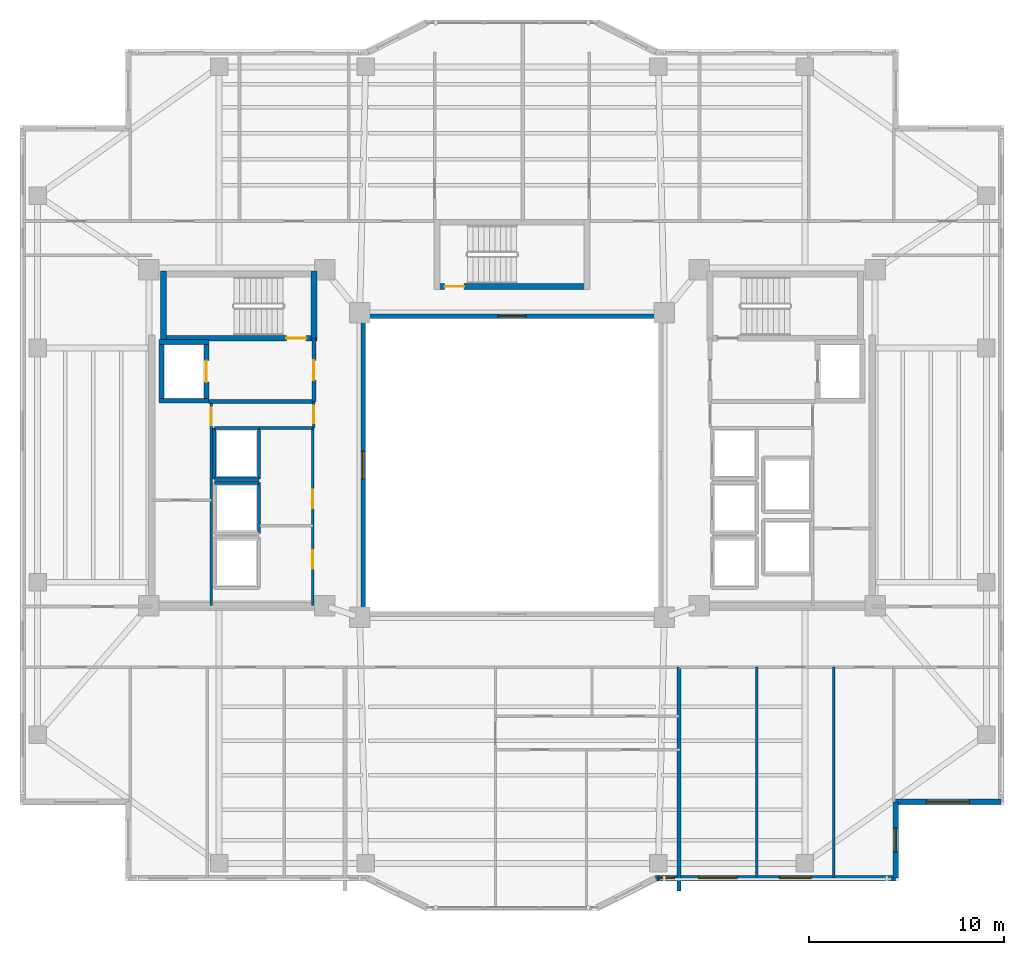
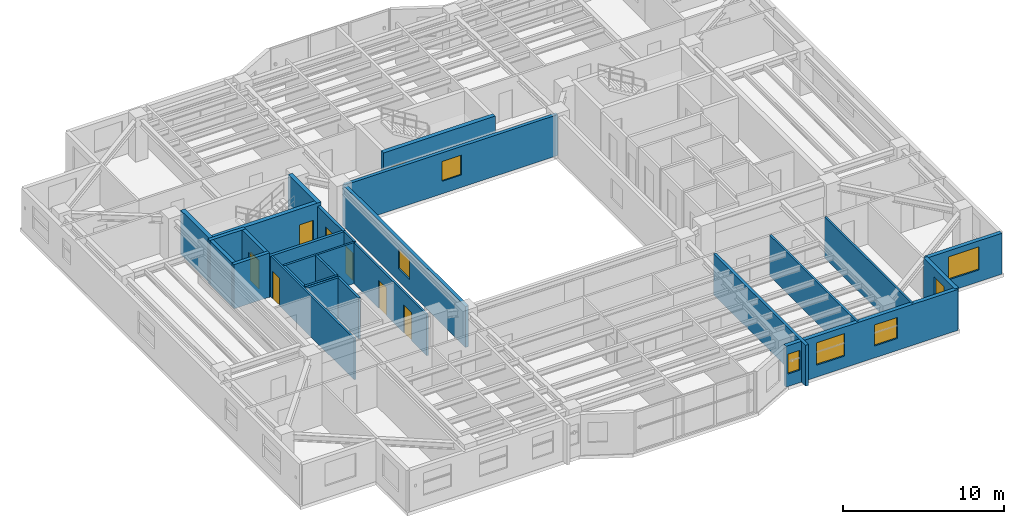
# One storey, part 7 of 15: 28 walls, 8 doors, 7 windows, 15 openings.
"""IFC4 building model written with IfcOpenShell, lengths in metres."""

from ifc_helpers import new_model, si_unit, direction, frame, frame_2d, origin, place, context, subcontext, project, spatial, rectangle, extrude, material, layer, layer_set, type_object, element, fill, save


model = new_model("IFC4")

# Units and contexts
model_context = context("Model", 3, precision=1e-05, world=origin(), true_north=direction((0.0, 1.0)))
body_context = subcontext(model_context, "Body", "Model", "MODEL_VIEW")
ifc_project = project(units=[si_unit("LENGTHUNIT", "METRE"), si_unit("AREAUNIT", "SQUARE_METRE"), si_unit("VOLUMEUNIT", "CUBIC_METRE"), si_unit("PLANEANGLEUNIT", "RADIAN"), si_unit("MASSUNIT", "GRAM", prefix="KILO")], contexts=[model_context])

# Site, building, storey
site_placement = place(None, origin())
site = spatial("IfcSite", under=ifc_project, at=site_placement, CompositionType="ELEMENT")
building_placement = place(site_placement, origin())
building = spatial("IfcBuilding", under=site, at=building_placement, Name="Tarnavaz Court Tower", CompositionType="ELEMENT")
storey_placement = place(building_placement, frame((0.0, 0.0, 142.64990234375)))
storey = spatial("IfcBuildingStorey", under=building, at=storey_placement, Name="L38", CompositionType="ELEMENT", Elevation=142.64990234375)

# Wall
ifc_material_1 = material(Name="Concrete C50/60", Category="concrete")
ifc_layer_1 = layer(ifc_material_1, 0.25)
ifc_layer_set_1 = layer_set([ifc_layer_1], Name="Concrete C50/60")
wall_type_1 = type_object("IfcWallType", Name="WL-CORE-250-C50", PredefinedType="SHEAR", material=ifc_layer_set_1)
wall_1_placement = place(storey_placement, frame((-17.949951171875, 3.175048828125, 0.0), z_axis=(0.0, 0.0, 1.0), x_axis=(0.0, 1.0, 0.0)))
element("IfcWall", 1, at=wall_1_placement, inside=storey, type_object=wall_type_1, Name="L38 Lift FL-W1 Shaft Wall 017", PredefinedType="SHEAR", context=body_context, shape_type="SweptSolid", body=[
    extrude(rectangle(XDim=3.25, YDim=0.25, at=frame_2d((1.625, 0.0))), origin(), (0.0, 0.0, 1.0), 3.35009765625),
])

# Wall, opening, door
wall_2_placement = place(storey_placement, frame((-15.64990234375, 3.175048828125, 0.0), z_axis=(0.0, 0.0, 1.0), x_axis=(0.0, 1.0, 0.0)))
wall_2 = element("IfcWall", 2, at=wall_2_placement, inside=storey, type_object=wall_type_1, Name="L38 Lift FL-W1 Shaft Wall 018", PredefinedType="SHEAR", context=body_context, shape_type="SweptSolid", body=[
    extrude(rectangle(XDim=3.25, YDim=0.25, at=frame_2d((1.625, 0.0))), origin(), (0.0, 0.0, 1.0), 3.35009765625),
])
opening_1_placement = place(wall_2_placement, frame((1.074951171875, 0.0, 0.0)))
opening_1 = element("IfcOpeningElement", 3, at=opening_1_placement, cuts=wall_2, Name="Opening LD1", PredefinedType="OPENING", context=body_context, shape_type="SweptSolid", body=[
    extrude(rectangle(XDim=1.10009765625, YDim=2.14990234375, at=frame_2d((0.550048828125, 1.074951171875))), frame((0.0, 0.135009765625, 0.0), z_axis=(0.0, -1.0, 0.0), x_axis=(1.0, 0.0, 0.0)), (0.0, 0.0, 1.0), 0.27001953125),
])
ifc_material_2 = material(Name="Stainless Steel", Category="steel")
door_type_1 = type_object("IfcDoorType", Name="DR-LD-1100", OperationType="NOTDEFINED", PredefinedType="DOOR", material=ifc_material_2)
door_1_placement = place(opening_1_placement, origin())
door_1 = element("IfcDoor", 4, at=door_1_placement, inside=storey, type_object=door_type_1, Name="L38 Lift Landing Door LD-FL-W1", OperationType="SLIDING_TO_LEFT", OverallHeight=2.14990234375, OverallWidth=1.10009765625, PredefinedType="DOOR", context=body_context, shape_type="SweptSolid", body=[
    extrude(rectangle(XDim=1.10009765625, YDim=2.14990234375, at=frame_2d((0.550048828125, 1.074951171875))), frame((0.0, 0.02490234375, 0.0), z_axis=(0.0, -1.0, 0.0), x_axis=(1.0, 0.0, 0.0)), (0.0, 0.0, 1.0), 0.050048828125),
])
fill(opening_1, door_1)

# Walls
for number, where, z_axis, x_axis, name in (
    (5, (-18.074951171875, 3.300048828125, 0.0), (0.0, 0.0, 1.0), (1.0, 0.0, 0.0), "L38 Lift FL-W1 Shaft Wall 019"),
    (6, (-18.074951171875, 6.300048828125, 0.0), (0.0, 0.0, 1.0), (1.0, 0.0, 0.0), "L38 Lift FL-W1 Shaft Wall 020"),
):
    element("IfcWall", number, at=place(storey_placement, frame(where, z_axis=z_axis, x_axis=x_axis)), inside=storey, type_object=wall_type_1, Name=name, PredefinedType="SHEAR", context=body_context, shape_type="SweptSolid", body=[
        extrude(rectangle(XDim=2.550048828125, YDim=0.25, at=frame_2d((1.27490234375, 0.0))), origin(), (0.0, 0.0, 1.0), 3.35009765625),
    ])

# Wall, opening, door
ifc_layer_2 = layer(ifc_material_1, 0.300048828125)
ifc_layer_set_2 = layer_set([ifc_layer_2], Name="Concrete C50/60")
wall_type_2 = type_object("IfcWallType", Name="WL-CORE-300-C50", PredefinedType="SHEAR", material=ifc_layer_set_2)
wall_3_placement = place(storey_placement, frame((-18.0, 6.5, 0.0), z_axis=(0.0, 0.0, 1.0), x_axis=(1.0, 0.0, 0.0)))
wall_3 = element("IfcWall", 7, at=wall_3_placement, inside=storey, type_object=wall_type_2, Name="L38 West Stair Core Wall 002", PredefinedType="SHEAR", context=body_context, shape_type="SweptSolid", body=[
    extrude(rectangle(XDim=8.0, YDim=0.300048828125, at=frame_2d((4.0, 0.0))), origin(), (0.0, 0.0, 1.0), 3.35009765625),
])
opening_2_placement = place(wall_3_placement, frame((6.449951171875, 0.0, 0.0)))
opening_2 = element("IfcOpeningElement", 8, at=opening_2_placement, cuts=wall_3, Name="Opening D01", PredefinedType="OPENING", context=body_context, shape_type="SweptSolid", body=[
    extrude(rectangle(XDim=1.0, YDim=2.14990234375, at=frame_2d((0.5, 1.074951171875))), frame((0.0, 0.159912109375, 0.0), z_axis=(0.0, -1.0, 0.0), x_axis=(1.0, 0.0, 0.0)), (0.0, 0.0, 1.0), 0.320068359375),
])
ifc_material_3 = material(Name="Fire-Rated Hardwood Timber Core", Category="wood")
door_type_2 = type_object("IfcDoorType", Name="DR-FD90-1000", OperationType="NOTDEFINED", PredefinedType="DOOR", material=ifc_material_3)
door_2_placement = place(opening_2_placement, origin())
door_2 = element("IfcDoor", 9, at=door_2_placement, inside=storey, type_object=door_type_2, Name="L38 Stair ST-W1 Exit Door", OperationType="SINGLE_SWING_LEFT", OverallHeight=2.14990234375, OverallWidth=1.0, PredefinedType="DOOR", context=body_context, shape_type="SweptSolid", body=[
    extrude(rectangle(XDim=1.0, YDim=2.14990234375, at=frame_2d((0.5, 1.074951171875))), frame((0.0, 0.02490234375, 0.0), z_axis=(0.0, -1.0, 0.0), x_axis=(1.0, 0.0, 0.0)), (0.0, 0.0, 1.0), 0.050048828125),
])
fill(opening_2, door_2)

# Walls
for number, where, z_axis, x_axis, name in (
    (10, (-17.85009765625, 6.35009765625, 0.0), (0.0, 0.0, 1.0), (0.0, 1.0, 0.0), "L38 West Stair Core Wall 003"),
    (11, (-10.14990234375, 6.35009765625, 0.0), (0.0, 0.0, 1.0), (0.0, 1.0, 0.0), "L38 West Stair Core Wall 004"),
):
    element("IfcWall", number, at=place(storey_placement, frame(where, z_axis=z_axis, x_axis=x_axis)), inside=storey, type_object=wall_type_2, Name=name, PredefinedType="SHEAR", context=body_context, shape_type="SweptSolid", body=[
        extrude(rectangle(XDim=3.58984375, YDim=0.300048828125, at=frame_2d((1.794921875, 0.0))), origin(), (0.0, 0.0, 1.0), 3.35009765625),
    ])

# Wall, opening, door
wall_4_placement = place(storey_placement, frame((-4.0, 9.14990234375, 0.0), z_axis=(0.0, 0.0, 1.0), x_axis=(1.0, 0.0, 0.0)))
wall_4 = element("IfcWall", 12, at=wall_4_placement, inside=storey, type_object=wall_type_2, Name="L38 North Stair Core Wall 010", PredefinedType="SHEAR", context=body_context, shape_type="SweptSolid", body=[
    extrude(rectangle(XDim=8.0, YDim=0.300048828125, at=frame_2d((4.0, 0.0))), origin(), (0.0, 0.0, 1.0), 3.35009765625),
])
opening_3_placement = place(wall_4_placement, frame((0.550048828125, 0.0, 0.0)))
opening_3 = element("IfcOpeningElement", 13, at=opening_3_placement, cuts=wall_4, Name="Opening D01", PredefinedType="OPENING", context=body_context, shape_type="SweptSolid", body=[
    extrude(rectangle(XDim=1.0, YDim=2.14990234375, at=frame_2d((0.5, 1.074951171875))), frame((0.0, 0.159912109375, 0.0), z_axis=(0.0, -1.0, 0.0), x_axis=(1.0, 0.0, 0.0)), (0.0, 0.0, 1.0), 0.320068359375),
])
door_3_placement = place(opening_3_placement, origin())
door_3 = element("IfcDoor", 14, at=door_3_placement, inside=storey, type_object=door_type_2, Name="L38 Stair ST-N1 Exit Door", OperationType="SINGLE_SWING_LEFT", OverallHeight=2.14990234375, OverallWidth=1.0, PredefinedType="DOOR", context=body_context, shape_type="SweptSolid", body=[
    extrude(rectangle(XDim=1.0, YDim=2.14990234375, at=frame_2d((0.5, 1.074951171875))), frame((0.0, 0.02490234375, 0.0), z_axis=(0.0, -1.0, 0.0), x_axis=(1.0, 0.0, 0.0)), (0.0, 0.0, 1.0), 0.050048828125),
])
fill(opening_3, door_3)

# Wall, opening, window
ifc_material_4 = material(Name="Precast Concrete C40/50", Category="concrete")
ifc_layer_3 = layer(ifc_material_4, 0.280029296875)
ifc_layer_set_3 = layer_set([ifc_layer_3], Name="Precast Concrete C40/50")
wall_type_3 = type_object("IfcWallType", Name="WL-EXT-280", PredefinedType="SOLIDWALL", material=ifc_layer_set_3)
wall_5_placement = place(storey_placement, frame((25.050048828125, -17.25, 0.0), z_axis=(0.0, 0.0, 1.0), x_axis=(-1.0, 0.0, 0.0)))
wall_5 = element("IfcWall", 15, at=wall_5_placement, inside=storey, type_object=wall_type_3, Name="L38 Exterior Terracotta Facade Wall 13", PredefinedType="SOLIDWALL", context=body_context, shape_type="SweptSolid", body=[
    extrude(rectangle(XDim=5.400146484375, YDim=0.280029296875, at=frame_2d((2.7001953125, 0.0))), origin(), (0.0, 0.0, 1.0), 3.10009765625),
])
opening_4_placement = place(wall_5_placement, frame((1.625, 0.0, 0.89990234375)))
opening_4 = element("IfcOpeningElement", 16, at=opening_4_placement, cuts=wall_5, Name="Opening W07", PredefinedType="OPENING", context=body_context, shape_type="SweptSolid", body=[
    extrude(rectangle(XDim=2.199951171875, YDim=1.75, at=frame_2d((1.10009765625, 0.875))), frame((0.0, 0.14990234375, 0.0), z_axis=(0.0, -1.0, 0.0), x_axis=(1.0, 0.0, 0.0)), (0.0, 0.0, 1.0), 0.300048828125),
])
ifc_material_5 = material(Name="Double-Glazed Solar Low-E Glass", Category="glass")
window_type_1 = type_object("IfcWindowType", Name="WN-APT-2200", PartitioningType="TRIPLE_PANEL_VERTICAL", PredefinedType="WINDOW", material=ifc_material_5)
window_1_placement = place(opening_4_placement, origin())
window_1 = element("IfcWindow", 17, at=window_1_placement, inside=storey, type_object=window_type_1, Name="L38 South-East Corner Reading Room Window", OverallHeight=1.75, OverallWidth=2.199951171875, PartitioningType="SINGLE_PANEL", PredefinedType="WINDOW", context=body_context, shape_type="SweptSolid", body=[
    extrude(rectangle(XDim=2.199951171875, YDim=1.75, at=frame_2d((1.10009765625, 0.875))), frame((0.0, 0.030029296875, 0.0), z_axis=(0.0, -1.0, 0.0), x_axis=(1.0, 0.0, 0.0)), (0.0, 0.0, 1.0), 0.06005859375),
])
fill(opening_4, window_1)

wall_6_placement = place(storey_placement, frame((19.64990234375, -17.25, 0.0), z_axis=(0.0, 0.0, 1.0), x_axis=(0.0, -1.0, 0.0)))
wall_6 = element("IfcWall", 18, at=wall_6_placement, inside=storey, type_object=wall_type_3, Name="L38 Exterior Terracotta Facade Wall 14", PredefinedType="SOLIDWALL", context=body_context, shape_type="SweptSolid", body=[
    extrude(rectangle(XDim=3.89990234375, YDim=0.280029296875, at=frame_2d((1.949951171875, 0.0))), origin(), (0.0, 0.0, 1.0), 3.10009765625),
])
opening_5_placement = place(wall_6_placement, frame((1.35009765625, 0.0, 0.949951171875)))
opening_5 = element("IfcOpeningElement", 19, at=opening_5_placement, cuts=wall_6, Name="Opening W05", PredefinedType="OPENING", context=body_context, shape_type="SweptSolid", body=[
    extrude(rectangle(XDim=1.199951171875, YDim=1.5, at=frame_2d((0.60009765625, 0.75))), frame((0.0, 0.14990234375, 0.0), z_axis=(0.0, -1.0, 0.0), x_axis=(1.0, 0.0, 0.0)), (0.0, 0.0, 1.0), 0.300048828125),
])
window_type_2 = type_object("IfcWindowType", Name="WN-APT-1200", PartitioningType="SINGLE_PANEL", PredefinedType="WINDOW", material=ifc_material_5)
window_2_placement = place(opening_5_placement, origin())
window_2 = element("IfcWindow", 20, at=window_2_placement, inside=storey, type_object=window_type_2, Name="L38 Prow Cheek Bedroom Window 14", OverallHeight=1.5, OverallWidth=1.199951171875, PartitioningType="SINGLE_PANEL", PredefinedType="WINDOW", context=body_context, shape_type="SweptSolid", body=[
    extrude(rectangle(XDim=1.199951171875, YDim=1.5, at=frame_2d((0.60009765625, 0.75))), frame((0.0, 0.030029296875, 0.0), z_axis=(0.0, -1.0, 0.0), x_axis=(1.0, 0.0, 0.0)), (0.0, 0.0, 1.0), 0.06005859375),
])
fill(opening_5, window_2)

# Wall, openings, windows
wall_7_placement = place(storey_placement, frame((19.64990234375, -21.14990234375, 0.0), z_axis=(0.0, 0.0, 1.0), x_axis=(-1.0, 0.0, 0.0)))
wall_7 = element("IfcWall", 21, at=wall_7_placement, inside=storey, type_object=wall_type_3, Name="L38 Exterior Terracotta Facade Wall 15", PredefinedType="SOLIDWALL", context=body_context, shape_type="SweptSolid", body=[
    extrude(rectangle(XDim=12.2998046875, YDim=0.280029296875, at=frame_2d((6.14990234375, 0.0))), origin(), (0.0, 0.0, 1.0), 3.10009765625),
])
opening_6_placement = place(wall_7_placement, frame((4.32080078125, 0.0, 0.89990234375)))
opening_6 = element("IfcOpeningElement", 22, at=opening_6_placement, cuts=wall_7, Name="Opening W02", PredefinedType="OPENING", context=body_context, shape_type="SweptSolid", body=[
    extrude(rectangle(XDim=1.64990234375, YDim=1.60009765625, at=frame_2d((0.824951171875, 0.800048828125))), frame((0.0, 0.14990234375, 0.0), z_axis=(0.0, -1.0, 0.0), x_axis=(1.0, 0.0, 0.0)), (0.0, 0.0, 1.0), 0.300048828125),
])
opening_7_placement = place(wall_7_placement, frame((8.112060546875, 0.0, 0.89990234375)))
opening_7 = element("IfcOpeningElement", 23, at=opening_7_placement, cuts=wall_7, Name="Opening W08", PredefinedType="OPENING", context=body_context, shape_type="SweptSolid", body=[
    extrude(rectangle(XDim=2.0, YDim=1.699951171875, at=frame_2d((1.0, 0.85009765625))), frame((0.0, 0.14990234375, 0.0), z_axis=(0.0, -1.0, 0.0), x_axis=(1.0, 0.0, 0.0)), (0.0, 0.0, 1.0), 0.300048828125),
])
opening_8_placement = place(wall_7_placement, frame((11.302978515625, 0.0, 0.949951171875)))
opening_8 = element("IfcOpeningElement", 24, at=opening_8_placement, cuts=wall_7, Name="Opening W15", PredefinedType="OPENING", context=body_context, shape_type="SweptSolid", body=[
    extrude(rectangle(XDim=0.85009765625, YDim=1.5, at=frame_2d((0.425048828125, 0.75))), frame((0.0, 0.14990234375, 0.0), z_axis=(0.0, -1.0, 0.0), x_axis=(1.0, 0.0, 0.0)), (0.0, 0.0, 1.0), 0.300048828125),
])
window_type_3 = type_object("IfcWindowType", Name="WN-APT-1650", PartitioningType="DOUBLE_PANEL_VERTICAL", PredefinedType="WINDOW", material=ifc_material_5)
window_3_placement = place(opening_6_placement, origin())
window_3 = element("IfcWindow", 25, at=window_3_placement, inside=storey, type_object=window_type_3, Name="L38 Craft and Maker Workshop Room Window", OverallHeight=1.60009765625, OverallWidth=1.64990234375, PartitioningType="SINGLE_PANEL", PredefinedType="WINDOW", context=body_context, shape_type="SweptSolid", body=[
    extrude(rectangle(XDim=1.64990234375, YDim=1.60009765625, at=frame_2d((0.824951171875, 0.800048828125))), frame((0.0, 0.030029296875, 0.0), z_axis=(0.0, -1.0, 0.0), x_axis=(1.0, 0.0, 0.0)), (0.0, 0.0, 1.0), 0.06005859375),
])
fill(opening_6, window_3)
window_type_4 = type_object("IfcWindowType", Name="WN-APT-2000", PartitioningType="DOUBLE_PANEL_VERTICAL", PredefinedType="WINDOW", material=ifc_material_5)
window_4_placement = place(opening_7_placement, origin())
window_4 = element("IfcWindow", 26, at=window_4_placement, inside=storey, type_object=window_type_4, Name="L38 Resident Community Meeting Room Window", OverallHeight=1.699951171875, OverallWidth=2.0, PartitioningType="SINGLE_PANEL", PredefinedType="WINDOW", context=body_context, shape_type="SweptSolid", body=[
    extrude(rectangle(XDim=2.0, YDim=1.699951171875, at=frame_2d((1.0, 0.85009765625))), frame((0.0, 0.030029296875, 0.0), z_axis=(0.0, -1.0, 0.0), x_axis=(1.0, 0.0, 0.0)), (0.0, 0.0, 1.0), 0.06005859375),
])
fill(opening_7, window_4)
window_type_5 = type_object("IfcWindowType", Name="WN-APT-850", PartitioningType="SINGLE_PANEL", PredefinedType="WINDOW", material=ifc_material_5)
window_5_placement = place(opening_8_placement, origin())
window_5 = element("IfcWindow", 27, at=window_5_placement, inside=storey, type_object=window_type_5, Name="L38 Flat 01 Bedroom 2 Window", OverallHeight=1.5, OverallWidth=0.85009765625, PartitioningType="SINGLE_PANEL", PredefinedType="WINDOW", context=body_context, shape_type="SweptSolid", body=[
    extrude(rectangle(XDim=0.85009765625, YDim=1.5, at=frame_2d((0.425048828125, 0.75))), frame((0.0, 0.030029296875, 0.0), z_axis=(0.0, -1.0, 0.0), x_axis=(1.0, 0.0, 0.0)), (0.0, 0.0, 1.0), 0.06005859375),
])
fill(opening_8, window_5)

# Wall
ifc_material_6 = material(Name="Autoclaved Aerated Concrete Blockwork", Category="masonry")
ifc_layer_4 = layer(ifc_material_6, 0.199951171875)
ifc_layer_set_4 = layer_set([ifc_layer_4], Name="Autoclaved Aerated Concrete Blockwork")
wall_type_4 = type_object("IfcWallType", Name="WL-FIRE-200", PredefinedType="SOLIDWALL", material=ifc_layer_set_4)
wall_8_placement = place(storey_placement, frame((-15.550048828125, 3.25, 0.0), z_axis=(0.0, 0.0, 1.0), x_axis=(1.0, 0.0, 0.0)))
element("IfcWall", 28, at=wall_8_placement, inside=storey, type_object=wall_type_4, Name="L38 West Firefighting Lobby Wall 013", PredefinedType="SOLIDWALL", context=body_context, shape_type="SweptSolid", body=[
    extrude(rectangle(XDim=5.400146484375, YDim=0.199951171875, at=frame_2d((2.7001953125, 0.0))), origin(), (0.0, 0.0, 1.0), 3.10009765625),
])

# Wall, opening, door
wall_9_placement = place(storey_placement, frame((-10.14990234375, 3.25, 0.0), z_axis=(0.0, 0.0, 1.0), x_axis=(0.0, 1.0, 0.0)))
wall_9 = element("IfcWall", 29, at=wall_9_placement, inside=storey, type_object=wall_type_4, Name="L38 West Firefighting Lobby Wall 014", PredefinedType="SOLIDWALL", context=body_context, shape_type="SweptSolid", body=[
    extrude(rectangle(XDim=3.25, YDim=0.199951171875, at=frame_2d((1.625, 0.0))), origin(), (0.0, 0.0, 1.0), 3.10009765625),
])
opening_9_placement = place(wall_9_placement, frame((1.10009765625, 0.0, 0.0)))
opening_9 = element("IfcOpeningElement", 30, at=opening_9_placement, cuts=wall_9, Name="Opening D05", PredefinedType="OPENING", context=body_context, shape_type="SweptSolid", body=[
    extrude(rectangle(XDim=1.02001953125, YDim=2.14990234375, at=frame_2d((0.510009765625, 1.074951171875))), frame((0.0, 0.10986328125, 0.0), z_axis=(0.0, -1.0, 0.0), x_axis=(1.0, 0.0, 0.0)), (0.0, 0.0, 1.0), 0.219970703125),
])
door_type_3 = type_object("IfcDoorType", Name="DR-FD60-1000", OperationType="NOTDEFINED", PredefinedType="DOOR", material=ifc_material_3)
door_4_placement = place(opening_9_placement, origin())
door_4 = element("IfcDoor", 31, at=door_4_placement, inside=storey, type_object=door_type_3, Name="L38 West Firefighting Lobby Door", OperationType="SINGLE_SWING_RIGHT", OverallHeight=2.14990234375, OverallWidth=1.02001953125, PredefinedType="DOOR", context=body_context, shape_type="SweptSolid", body=[
    extrude(rectangle(XDim=1.02001953125, YDim=2.14990234375, at=frame_2d((0.510009765625, 1.074951171875))), frame((0.0, 0.02490234375, 0.0), z_axis=(0.0, -1.0, 0.0), x_axis=(1.0, 0.0, 0.0)), (0.0, 0.0, 1.0), 0.050048828125),
])
fill(opening_9, door_4)

# Walls
wall_10_placement = place(storey_placement, frame((8.550048828125, -21.803955078125, 0.0), z_axis=(0.0, 0.0, 1.0), x_axis=(0.0, 1.0, 0.0)))
element("IfcWall", 32, at=wall_10_placement, inside=storey, type_object=wall_type_4, Name="L38 Party Wall 087", PredefinedType="SOLIDWALL", context=body_context, shape_type="SweptSolid", body=[
    extrude(rectangle(XDim=11.453857421875, YDim=0.199951171875, at=frame_2d((5.72705078125, 0.0))), origin(), (0.0, 0.0, 1.0), 3.10009765625),
])
ifc_material_7 = material(Name="Gypsum Plasterboard Acoustic Partition", Category="masonry")
ifc_layer_5 = layer(ifc_material_7, 0.139892578125)
ifc_layer_set_5 = layer_set([ifc_layer_5], Name="Gypsum Plasterboard Acoustic Partition")
wall_type_5 = type_object("IfcWallType", Name="WL-PART-150", PredefinedType="PARTITIONING", material=ifc_layer_set_5)
wall_11_placement = place(storey_placement, frame((-12.949951171875, 1.89990234375, 0.0), z_axis=(0.0, 0.0, 1.0), x_axis=(1.0, 0.0, 0.0)))
element("IfcWall", 33, at=wall_11_placement, inside=storey, type_object=wall_type_5, Name="L38 Interior Partition 061", PredefinedType="PARTITIONING", context=body_context, shape_type="SweptSolid", body=[
    extrude(rectangle(XDim=2.800048828125, YDim=0.139892578125, at=frame_2d((1.39990234375, 0.0))), origin(), (0.0, 0.0, 1.0), 3.10009765625),
])

# Wall, opening, door
wall_12_placement = place(storey_placement, frame((-10.14990234375, 1.919921875, 0.0), z_axis=(0.0, 0.0, 1.0), x_axis=(0.0, 1.0, 0.0)))
wall_12 = element("IfcWall", 34, at=wall_12_placement, inside=storey, type_object=wall_type_5, Name="L38 Interior Partition 062", PredefinedType="PARTITIONING", context=body_context, shape_type="SweptSolid", body=[
    extrude(rectangle(XDim=1.330078125, YDim=0.139892578125, at=frame_2d((0.6650390625, 0.0))), origin(), (0.0, 0.0, 1.0), 3.10009765625),
])
opening_10_placement = place(wall_12_placement, frame((0.219970703125, 0.0, 0.0)))
opening_10 = element("IfcOpeningElement", 35, at=opening_10_placement, cuts=wall_12, Name="Opening D09", PredefinedType="OPENING", context=body_context, shape_type="SweptSolid", body=[
    extrude(rectangle(XDim=0.89990234375, YDim=2.080078125, at=frame_2d((0.449951171875, 1.0400390625))), frame((0.0, 0.079833984375, 0.0), z_axis=(0.0, -1.0, 0.0), x_axis=(1.0, 0.0, 0.0)), (0.0, 0.0, 1.0), 0.159912109375),
])
door_type_4 = type_object("IfcDoorType", Name="DR-FD30-900", OperationType="NOTDEFINED", PredefinedType="DOOR", material=ifc_material_3)
door_5_placement = place(opening_10_placement, origin())
door_5 = element("IfcDoor", 36, at=door_5_placement, inside=storey, type_object=door_type_4, Name="L38 West Core Service Lobby Door", OperationType="SINGLE_SWING_LEFT", OverallHeight=2.080078125, OverallWidth=0.89990234375, PredefinedType="DOOR", context=body_context, shape_type="SweptSolid", body=[
    extrude(rectangle(XDim=0.89990234375, YDim=2.080078125, at=frame_2d((0.449951171875, 1.0400390625))), frame((0.0, 0.02490234375, 0.0), z_axis=(0.0, -1.0, 0.0), x_axis=(1.0, 0.0, 0.0)), (0.0, 0.0, 1.0), 0.050048828125),
])
fill(opening_10, door_5)

wall_13_placement = place(storey_placement, frame((-15.39990234375, -7.199951171875, 0.0), z_axis=(0.0, 0.0, 1.0), x_axis=(0.0, 1.0, 0.0)))
wall_13 = element("IfcWall", 37, at=wall_13_placement, inside=storey, type_object=wall_type_5, Name="L38 Interior Partition 063", PredefinedType="PARTITIONING", context=body_context, shape_type="SweptSolid", body=[
    extrude(rectangle(XDim=10.449951171875, YDim=0.139892578125, at=frame_2d((5.22509765625, 0.0))), origin(), (0.0, 0.0, 1.0), 3.10009765625),
])
opening_11_placement = place(wall_13_placement, frame((9.25, 0.0, 0.0)))
opening_11 = element("IfcOpeningElement", 38, at=opening_11_placement, cuts=wall_13, Name="Opening D09", PredefinedType="OPENING", context=body_context, shape_type="SweptSolid", body=[
    extrude(rectangle(XDim=0.89990234375, YDim=2.080078125, at=frame_2d((0.449951171875, 1.0400390625))), frame((0.0, 0.079833984375, 0.0), z_axis=(0.0, -1.0, 0.0), x_axis=(1.0, 0.0, 0.0)), (0.0, 0.0, 1.0), 0.159912109375),
])
door_6_placement = place(opening_11_placement, origin())
door_6 = element("IfcDoor", 39, at=door_6_placement, inside=storey, type_object=door_type_4, Name="L38 West Telecom Room Door", OperationType="SINGLE_SWING_RIGHT", OverallHeight=2.080078125, OverallWidth=0.89990234375, PredefinedType="DOOR", context=body_context, shape_type="SweptSolid", body=[
    extrude(rectangle(XDim=0.89990234375, YDim=2.080078125, at=frame_2d((0.449951171875, 1.0400390625))), frame((0.0, 0.02490234375, 0.0), z_axis=(0.0, -1.0, 0.0), x_axis=(1.0, 0.0, 0.0)), (0.0, 0.0, 1.0), 0.050048828125),
])
fill(opening_11, door_6)

# Wall, openings, doors
wall_14_placement = place(storey_placement, frame((-10.199951171875, -7.199951171875, 0.0), z_axis=(0.0, 0.0, 1.0), x_axis=(0.0, 1.0, 0.0)))
wall_14 = element("IfcWall", 40, at=wall_14_placement, inside=storey, type_object=wall_type_5, Name="L38 West Reclaimed Core Wall 065", PredefinedType="PARTITIONING", context=body_context, shape_type="SweptSolid", body=[
    extrude(rectangle(XDim=9.119873046875, YDim=0.139892578125, at=frame_2d((4.56005859375, 0.0))), origin(), (0.0, 0.0, 1.0), 3.10009765625),
])
opening_12_placement = place(wall_14_placement, frame((1.89990234375, 0.0, 0.0)))
opening_12 = element("IfcOpeningElement", 41, at=opening_12_placement, cuts=wall_14, Name="Opening D08", PredefinedType="OPENING", context=body_context, shape_type="SweptSolid", body=[
    extrude(rectangle(XDim=0.949951171875, YDim=2.1201171875, at=frame_2d((0.47509765625, 1.06005859375))), frame((0.0, 0.079833984375, 0.0), z_axis=(0.0, -1.0, 0.0), x_axis=(1.0, 0.0, 0.0)), (0.0, 0.0, 1.0), 0.159912109375),
])
opening_13_placement = place(wall_14_placement, frame((5.0, 0.0, 0.0)))
opening_13 = element("IfcOpeningElement", 42, at=opening_13_placement, cuts=wall_14, Name="Opening D08", PredefinedType="OPENING", context=body_context, shape_type="SweptSolid", body=[
    extrude(rectangle(XDim=0.949951171875, YDim=2.1201171875, at=frame_2d((0.47509765625, 1.06005859375))), frame((0.0, 0.079833984375, 0.0), z_axis=(0.0, -1.0, 0.0), x_axis=(1.0, 0.0, 0.0)), (0.0, 0.0, 1.0), 0.159912109375),
])
door_type_5 = type_object("IfcDoorType", Name="DR-FD30-950", OperationType="NOTDEFINED", PredefinedType="DOOR", material=ifc_material_3)
door_7_placement = place(opening_12_placement, origin())
door_7 = element("IfcDoor", 43, at=door_7_placement, inside=storey, type_object=door_type_5, Name="L38 West Study Room Door", OperationType="SINGLE_SWING_RIGHT", OverallHeight=2.1201171875, OverallWidth=0.949951171875, PredefinedType="DOOR", context=body_context, shape_type="SweptSolid", body=[
    extrude(rectangle(XDim=0.949951171875, YDim=2.1201171875, at=frame_2d((0.47509765625, 1.06005859375))), frame((0.0, 0.02490234375, 0.0), z_axis=(0.0, -1.0, 0.0), x_axis=(1.0, 0.0, 0.0)), (0.0, 0.0, 1.0), 0.050048828125),
])
fill(opening_12, door_7)
door_8_placement = place(opening_13_placement, origin())
door_8 = element("IfcDoor", 44, at=door_8_placement, inside=storey, type_object=door_type_5, Name="L38 West Laundry Room Door", OperationType="SINGLE_SWING_LEFT", OverallHeight=2.1201171875, OverallWidth=0.949951171875, PredefinedType="DOOR", context=body_context, shape_type="SweptSolid", body=[
    extrude(rectangle(XDim=0.949951171875, YDim=2.1201171875, at=frame_2d((0.47509765625, 1.06005859375))), frame((0.0, 0.02490234375, 0.0), z_axis=(0.0, -1.0, 0.0), x_axis=(1.0, 0.0, 0.0)), (0.0, 0.0, 1.0), 0.050048828125),
])
fill(opening_13, door_8)

# Walls
for number, where, z_axis, x_axis, name in (
    (45, (12.5419921875, -21.14990234375, 0.0), (0.0, 0.0, 1.0), (0.0, 1.0, 0.0), "L38 Interior Partition 084"),
    (46, (16.48388671875, -21.14990234375, 0.0), (0.0, 0.0, 1.0), (0.0, 1.0, 0.0), "L38 Interior Partition 085"),
):
    element("IfcWall", number, at=place(storey_placement, frame(where, z_axis=z_axis, x_axis=x_axis)), inside=storey, type_object=wall_type_5, Name=name, PredefinedType="PARTITIONING", context=body_context, shape_type="SweptSolid", body=[
        extrude(rectangle(XDim=10.7998046875, YDim=0.139892578125, at=frame_2d((5.39990234375, 0.0))), origin(), (0.0, 0.0, 1.0), 3.10009765625),
    ])
ifc_layer_6 = layer(ifc_material_6, 0.159912109375)
ifc_layer_set_6 = layer_set([ifc_layer_6], Name="Autoclaved Aerated Concrete Blockwork")
wall_type_6 = type_object("IfcWallType", Name="WL-SHAFT-150", PredefinedType="SOLIDWALL", material=ifc_layer_set_6)
wall_15_placement = place(storey_placement, frame((-12.949951171875, -3.5, 0.0), z_axis=(0.0, 0.0, 1.0), x_axis=(0.0, 1.0, 0.0)))
element("IfcWall", 47, at=wall_15_placement, inside=storey, type_object=wall_type_6, Name="L38 Lift PL-H2 Shaft Wall 026", PredefinedType="SOLIDWALL", context=body_context, shape_type="SweptSolid", body=[
    extrude(rectangle(XDim=2.60009765625, YDim=0.159912109375, at=frame_2d((1.300048828125, 0.0))), origin(), (0.0, 0.0, 1.0), 3.10009765625),
])
wall_16_placement = place(storey_placement, frame((-15.25, -0.89990234375, 0.0), z_axis=(0.0, 0.0, 1.0), x_axis=(1.0, 0.0, 0.0)))
element("IfcWall", 48, at=wall_16_placement, inside=storey, type_object=wall_type_6, Name="L38 Lift PL-H2 Shaft Wall 028", PredefinedType="SOLIDWALL", context=body_context, shape_type="SweptSolid", body=[
    extrude(rectangle(XDim=2.300048828125, YDim=0.159912109375, at=frame_2d((1.14990234375, 0.0))), origin(), (0.0, 0.0, 1.0), 3.10009765625),
])
for number, where, z_axis, x_axis, name in (
    (49, (-15.25, -0.699951171875, 0.0), (0.0, 0.0, 1.0), (0.0, 1.0, 0.0), "L38 Lift PL-H3 Shaft Wall 029"),
    (50, (-12.949951171875, -0.699951171875, 0.0), (0.0, 0.0, 1.0), (0.0, 1.0, 0.0), "L38 Lift PL-H3 Shaft Wall 030"),
):
    element("IfcWall", number, at=place(storey_placement, frame(where, z_axis=z_axis, x_axis=x_axis)), inside=storey, type_object=wall_type_6, Name=name, PredefinedType="SOLIDWALL", context=body_context, shape_type="SweptSolid", body=[
        extrude(rectangle(XDim=2.599853515625, YDim=0.159912109375, at=frame_2d((1.2998046875, 0.0))), origin(), (0.0, 0.0, 1.0), 3.10009765625),
    ])
for number, where, z_axis, x_axis, name in (
    (51, (-15.25, -0.699951171875, 0.0), (0.0, 0.0, 1.0), (1.0, 0.0, 0.0), "L38 Lift PL-H3 Shaft Wall 031"),
    (52, (-15.25, 1.89990234375, 0.0), (0.0, 0.0, 1.0), (1.0, 0.0, 0.0), "L38 Lift PL-H3 Shaft Wall 032"),
):
    element("IfcWall", number, at=place(storey_placement, frame(where, z_axis=z_axis, x_axis=x_axis)), inside=storey, type_object=wall_type_6, Name=name, PredefinedType="SOLIDWALL", context=body_context, shape_type="SweptSolid", body=[
        extrude(rectangle(XDim=2.300048828125, YDim=0.159912109375, at=frame_2d((1.14990234375, 0.0))), origin(), (0.0, 0.0, 1.0), 3.10009765625),
    ])

# Wall, opening, window
ifc_layer_7 = layer(ifc_material_4, 0.239990234375)
ifc_layer_set_7 = layer_set([ifc_layer_7], Name="Precast Concrete C40/50")
wall_type_7 = type_object("IfcWallType", Name="WL-WELL-240", PredefinedType="SOLIDWALL", material=ifc_layer_set_7)
wall_17_placement = place(storey_placement, frame((7.6201171875, 7.6201171875, 0.0), z_axis=(0.0, 0.0, 1.0), x_axis=(-1.0, 0.0, 0.0)))
wall_17 = element("IfcWall", 53, at=wall_17_placement, inside=storey, type_object=wall_type_7, Name="L38 Badgir Light-Well Exterior Wall N", PredefinedType="SOLIDWALL", context=body_context, shape_type="SweptSolid", body=[
    extrude(rectangle(XDim=15.240234375, YDim=0.239990234375, at=frame_2d((7.6201171875, 0.0))), origin(), (0.0, 0.0, 1.0), 3.10009765625),
])
opening_14_placement = place(wall_17_placement, frame((6.919921875, 0.0, 0.949951171875)))
opening_14 = element("IfcOpeningElement", 54, at=opening_14_placement, cuts=wall_17, Name="Opening W13", PredefinedType="OPENING", context=body_context, shape_type="SweptSolid", body=[
    extrude(rectangle(XDim=1.39990234375, YDim=1.5, at=frame_2d((0.699951171875, 0.75))), frame((0.0, 0.1298828125, 0.0), z_axis=(0.0, -1.0, 0.0), x_axis=(1.0, 0.0, 0.0)), (0.0, 0.0, 1.0), 0.260009765625),
])
window_type_6 = type_object("IfcWindowType", Name="WN-WEL-1400", PartitioningType="SINGLE_PANEL", PredefinedType="WINDOW", material=ifc_material_5)
window_6_placement = place(opening_14_placement, origin())
window_6 = element("IfcWindow", 55, at=window_6_placement, inside=storey, type_object=window_type_6, Name="L38 Courtyard Gallery Window N", OverallHeight=1.5, OverallWidth=1.39990234375, PartitioningType="SINGLE_PANEL", PredefinedType="WINDOW", context=body_context, shape_type="SweptSolid", body=[
    extrude(rectangle(XDim=1.39990234375, YDim=1.5, at=frame_2d((0.699951171875, 0.75))), frame((0.0, 0.030029296875, 0.0), z_axis=(0.0, -1.0, 0.0), x_axis=(1.0, 0.0, 0.0)), (0.0, 0.0, 1.0), 0.06005859375),
])
fill(opening_14, window_6)

wall_18_placement = place(storey_placement, frame((-7.6201171875, 7.6201171875, 0.0), z_axis=(0.0, 0.0, 1.0), x_axis=(0.0, -1.0, 0.0)))
wall_18 = element("IfcWall", 56, at=wall_18_placement, inside=storey, type_object=wall_type_7, Name="L38 Badgir Light-Well Exterior Wall W", PredefinedType="SOLIDWALL", context=body_context, shape_type="SweptSolid", body=[
    extrude(rectangle(XDim=15.240234375, YDim=0.239990234375, at=frame_2d((7.6201171875, 0.0))), origin(), (0.0, 0.0, 1.0), 3.10009765625),
])
opening_15_placement = place(wall_18_placement, frame((6.919921875, 0.0, 0.949951171875)))
opening_15 = element("IfcOpeningElement", 57, at=opening_15_placement, cuts=wall_18, Name="Opening W13", PredefinedType="OPENING", context=body_context, shape_type="SweptSolid", body=[
    extrude(rectangle(XDim=1.39990234375, YDim=1.5, at=frame_2d((0.699951171875, 0.75))), frame((0.0, 0.1298828125, 0.0), z_axis=(0.0, -1.0, 0.0), x_axis=(1.0, 0.0, 0.0)), (0.0, 0.0, 1.0), 0.260009765625),
])
window_7_placement = place(opening_15_placement, origin())
window_7 = element("IfcWindow", 58, at=window_7_placement, inside=storey, type_object=window_type_6, Name="L38 Courtyard Gallery Window W", OverallHeight=1.5, OverallWidth=1.39990234375, PartitioningType="SINGLE_PANEL", PredefinedType="WINDOW", context=body_context, shape_type="SweptSolid", body=[
    extrude(rectangle(XDim=1.39990234375, YDim=1.5, at=frame_2d((0.699951171875, 0.75))), frame((0.0, 0.030029296875, 0.0), z_axis=(0.0, -1.0, 0.0), x_axis=(1.0, 0.0, 0.0)), (0.0, 0.0, 1.0), 0.06005859375),
])
fill(opening_15, window_7)

save(model, "model.ifc")
